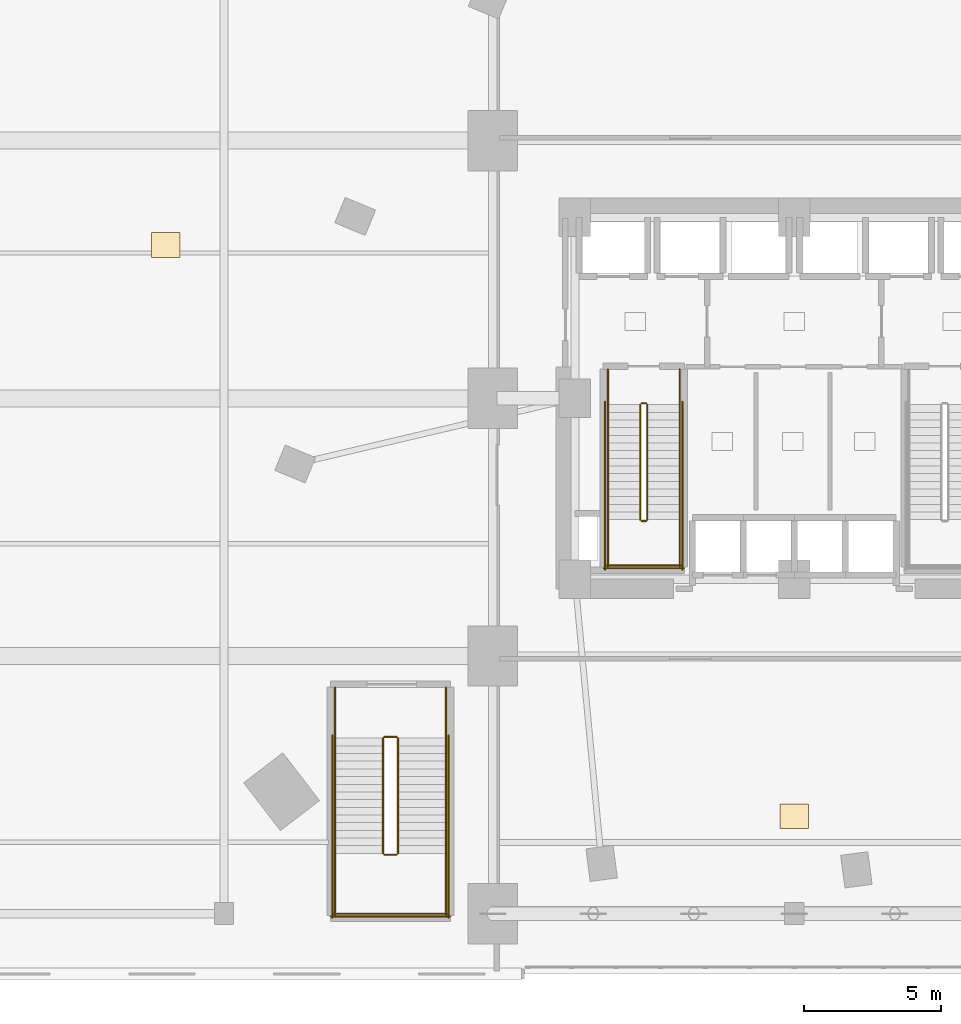
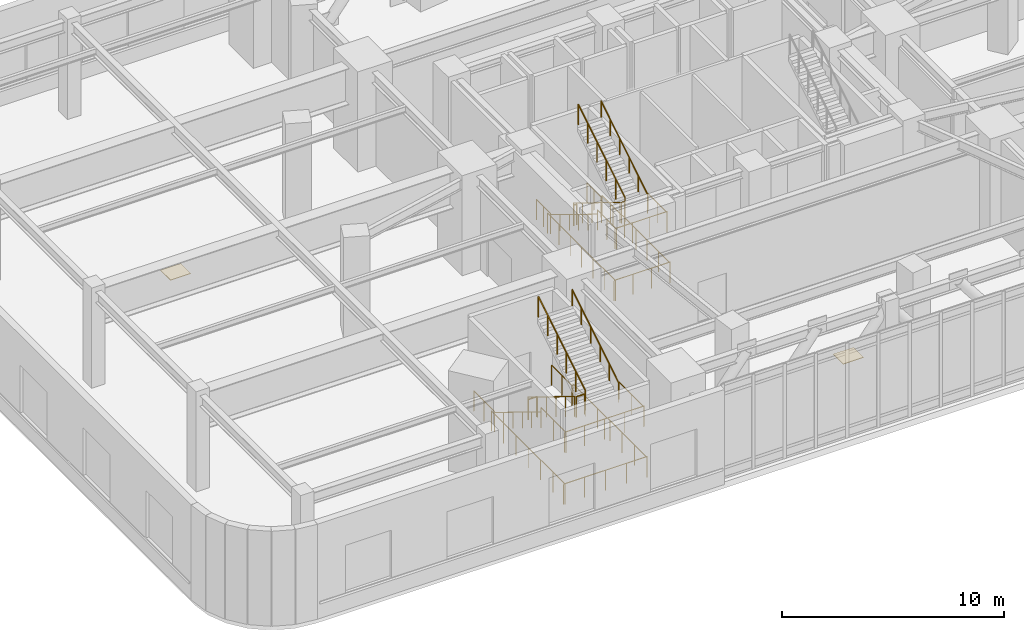
# One storey, part 17 of 19: 28 railings, 2 coverings.
"""IFC4 building model written with IfcOpenShell, lengths in metres."""

from ifc_helpers import new_model, si_unit, direction, frame, origin, origin_2d, place, context, subcontext, project, spatial, rectangle, circle, extrude, material, layer, layer_set, type_object, element, save


model = new_model("IFC4")

# Units and contexts
model_context = context("Model", 3, precision=1e-05, world=origin(), true_north=direction((0.0, 1.0)))
body_context = subcontext(model_context, "Body", "Model", "MODEL_VIEW")
ifc_project = project(units=[si_unit("LENGTHUNIT", "METRE"), si_unit("AREAUNIT", "SQUARE_METRE"), si_unit("VOLUMEUNIT", "CUBIC_METRE"), si_unit("PLANEANGLEUNIT", "RADIAN"), si_unit("MASSUNIT", "GRAM", prefix="KILO")], contexts=[model_context])

# Site, building, storey
site_placement = place(None, origin())
site = spatial("IfcSite", under=ifc_project, at=site_placement, CompositionType="ELEMENT")
building_placement = place(site_placement, origin())
building = spatial("IfcBuilding", under=site, at=building_placement, Name="Ndelora Gate Hotel", CompositionType="ELEMENT")
storey_placement = place(building_placement, frame((0.0, 0.0, 16.0)))
storey = spatial("IfcBuildingStorey", under=building, at=storey_placement, Name="L03", CompositionType="ELEMENT", Elevation=16.0)

# Coverings
ifc_material_1 = material(Name="Engineered Highland Oak Parquet", Category="wood")
ifc_layer_1 = layer(ifc_material_1, 0.030029296875)
ifc_layer_set_1 = layer_set([ifc_layer_1], Name="Engineered Highland Oak Parquet")
covering_type = type_object("IfcCoveringType", Name="COV-FLR-PARQ", PredefinedType="FLOORING", material=ifc_layer_set_1)
for number, where, z_axis, x_axis, name in (
    (1, (-22.925048828125, 5.59375, 0.0), (0.0, 0.0, 1.0), (1.0, 0.0, 0.0), "L03 Clear-Span Grand Ballroom Oak Parquet Flooring"),
    (2, (0.0, -15.25, 0.0), (0.0, 0.0, 1.0), (1.0, 0.0, 0.0), "L03 South Ballroom Salon Oak Parquet Flooring"),
):
    element("IfcCovering", number, at=place(storey_placement, frame(where, z_axis=z_axis, x_axis=x_axis)), inside=storey, type_object=covering_type, Name=name, PredefinedType="FLOORING", context=body_context, shape_type="SweptSolid", body=[
        extrude(rectangle(XDim=1.050048828125, YDim=0.89990234375, at=origin_2d()), origin(), (0.0, 0.0, 1.0), 0.030029296875),
    ])

# Railings
ifc_material_2 = material(Name="Painted Galvanized Steel Balustrade", Category="steel")
ifc_layer_2 = layer(ifc_material_2, 0.06005859375)
ifc_layer_set_2 = layer_set([ifc_layer_2], Name="Painted Galvanized Steel Balustrade")
railing_type_1 = type_object("IfcRailingType", Name="RL-STAIR-GD", PredefinedType="GUARDRAIL", material=ifc_layer_set_2)
railing_1_placement = place(storey_placement, frame((-5.6201171875, -0.22998046875, 0.171875)))
element("IfcRailing", 3, at=railing_1_placement, inside=storey, type_object=railing_type_1, Name="L03 ST4 stair guard 1", PredefinedType="GUARDRAIL", context=body_context, shape_type="SweptSolid", body=[
    extrude(circle(Radius=0.02392578125, at=origin_2d()), frame((0.0, 0.0, 1.10595703125), z_axis=(0.0, -0.852242915053, 0.523146264196), x_axis=(1.0, 0.0, 0.0)), (0.0, 0.0, 1.0), 4.92822265625),
    extrude(circle(Radius=0.02099609375, at=origin_2d()), origin(), (0.0, 0.0, 1.0), 1.081787109375),
    extrude(circle(Radius=0.02099609375, at=origin_2d()), frame((0.0, -0.840087890625, 0.515625)), (0.0, 0.0, 1.0), 1.081787109375),
    extrude(circle(Radius=0.02099609375, at=origin_2d()), frame((0.0, -1.679931640625, 1.03125)), (0.0, 0.0, 1.0), 1.081787109375),
    extrude(circle(Radius=0.02099609375, at=origin_2d()), frame((0.0, -2.52001953125, 1.546875)), (0.0, 0.0, 1.0), 1.081787109375),
    extrude(circle(Radius=0.02099609375, at=origin_2d()), frame((0.0, -3.35986328125, 2.0625)), (0.0, 0.0, 1.0), 1.081787109375),
    extrude(circle(Radius=0.02099609375, at=origin_2d()), frame((0.0, -4.199951171875, 2.578125)), (0.0, 0.0, 1.0), 1.081787109375),
])
railing_2_placement = place(storey_placement, frame((-5.570068359375, -4.47998046875, 2.75)))
element("IfcRailing", 4, at=railing_2_placement, inside=storey, type_object=railing_type_1, Name="L03 ST4 stair guard 2", PredefinedType="GUARDRAIL", context=body_context, shape_type="SweptSolid", body=[
    extrude(circle(Radius=0.02392578125, at=origin_2d()), frame((0.0, 0.0, 1.10595703125), z_axis=(1.0, 0.0, 0.0), x_axis=(0.0, 1.0, 0.0)), (0.0, 0.0, 1.0), 0.16015625),
    extrude(circle(Radius=0.02099609375, at=origin_2d()), origin(), (0.0, 0.0, 1.0), 1.081787109375),
    extrude(circle(Radius=0.02099609375, at=origin_2d()), frame((0.16015625, 0.0, 0.0)), (0.0, 0.0, 1.0), 1.081787109375),
])
for number, where, name in (
    (5, (-6.800048828125, -4.429931640625, 2.75), "L03 ST4 stair guard 3"),
    (6, (-4.179931640625, -4.429931640625, 2.75), "L03 ST4 stair guard 4"),
):
    element("IfcRailing", number, at=place(storey_placement, frame(where)), inside=storey, type_object=railing_type_1, Name=name, PredefinedType="GUARDRAIL", context=body_context, shape_type="SweptSolid", body=[
        extrude(circle(Radius=0.02392578125, at=origin_2d()), frame((0.0, 0.0, 1.10595703125), z_axis=(0.0, -1.0, 0.0), x_axis=(1.0, 0.0, 0.0)), (0.0, 0.0, 1.0), 1.719970703125),
        extrude(circle(Radius=0.02099609375, at=origin_2d()), origin(), (0.0, 0.0, 1.0), 1.081787109375),
        extrude(circle(Radius=0.02099609375, at=origin_2d()), frame((0.0, -0.85986328125, 0.0)), (0.0, 0.0, 1.0), 1.081787109375),
        extrude(circle(Radius=0.02099609375, at=origin_2d()), frame((0.0, -1.719970703125, 0.0)), (0.0, 0.0, 1.0), 1.081787109375),
    ])
railing_3_placement = place(storey_placement, frame((-6.85009765625, -6.10009765625, 2.75)))
element("IfcRailing", 7, at=railing_3_placement, inside=storey, type_object=railing_type_1, Name="L03 ST4 stair guard 5", PredefinedType="GUARDRAIL", context=body_context, shape_type="SweptSolid", body=[
    extrude(circle(Radius=0.02392578125, at=origin_2d()), frame((0.0, 0.0, 1.10595703125), z_axis=(1.0, 0.0, 0.0), x_axis=(0.0, 1.0, 0.0)), (0.0, 0.0, 1.0), 2.72021484375),
    extrude(circle(Radius=0.02099609375, at=origin_2d()), origin(), (0.0, 0.0, 1.0), 1.081787109375),
    extrude(circle(Radius=0.02099609375, at=origin_2d()), frame((0.90673828125, 0.0, 0.0)), (0.0, 0.0, 1.0), 1.081787109375),
    extrude(circle(Radius=0.02099609375, at=origin_2d()), frame((1.8134765625, 0.0, 0.0)), (0.0, 0.0, 1.0), 1.081787109375),
    extrude(circle(Radius=0.02099609375, at=origin_2d()), frame((2.72021484375, 0.0, 0.0)), (0.0, 0.0, 1.0), 1.081787109375),
])
railing_4_placement = place(storey_placement, frame((-5.360107421875, -4.429931640625, 2.921875)))
element("IfcRailing", 8, at=railing_4_placement, inside=storey, type_object=railing_type_1, Name="L03 ST4 stair guard 6", PredefinedType="GUARDRAIL", context=body_context, shape_type="SweptSolid", body=[
    extrude(circle(Radius=0.02392578125, at=origin_2d()), frame((0.0, 0.0, 1.10595703125), z_axis=(0.0, 0.852242915053, 0.523146264196), x_axis=(-1.0, 0.0, 0.0)), (0.0, 0.0, 1.0), 4.92822265625),
    extrude(circle(Radius=0.02099609375, at=origin_2d()), origin(), (0.0, 0.0, 1.0), 1.081787109375),
    extrude(circle(Radius=0.02099609375, at=origin_2d()), frame((0.0, 0.840087890625, 0.515625)), (0.0, 0.0, 1.0), 1.081787109375),
    extrude(circle(Radius=0.02099609375, at=origin_2d()), frame((0.0, 1.679931640625, 1.03125)), (0.0, 0.0, 1.0), 1.081787109375),
    extrude(circle(Radius=0.02099609375, at=origin_2d()), frame((0.0, 2.52001953125, 1.546875)), (0.0, 0.0, 1.0), 1.081787109375),
    extrude(circle(Radius=0.02099609375, at=origin_2d()), frame((0.0, 3.35986328125, 2.0625)), (0.0, 0.0, 1.0), 1.081787109375),
    extrude(circle(Radius=0.02099609375, at=origin_2d()), frame((0.0, 4.199951171875, 2.578125)), (0.0, 0.0, 1.0), 1.081787109375),
])
railing_5_placement = place(storey_placement, frame((-5.570068359375, -0.179931640625, 0.0)))
element("IfcRailing", 9, at=railing_5_placement, inside=storey, type_object=railing_type_1, Name="L03 ST4 stair guard 7", PredefinedType="GUARDRAIL", context=body_context, shape_type="SweptSolid", body=[
    extrude(circle(Radius=0.02392578125, at=origin_2d()), frame((0.0, 0.0, 1.10595703125), z_axis=(1.0, 0.0, 0.0), x_axis=(0.0, 1.0, 0.0)), (0.0, 0.0, 1.0), 0.16015625),
    extrude(circle(Radius=0.02099609375, at=origin_2d()), origin(), (0.0, 0.0, 1.0), 1.081787109375),
    extrude(circle(Radius=0.02099609375, at=origin_2d()), frame((0.16015625, 0.0, 0.0)), (0.0, 0.0, 1.0), 1.081787109375),
])
for number, where, name in (
    (10, (-6.800048828125, 1.050048828125, 0.0), "L03 ST4 stair guard 8"),
    (11, (-4.179931640625, 1.050048828125, 0.0), "L03 ST4 stair guard 9"),
):
    element("IfcRailing", number, at=place(storey_placement, frame(where)), inside=storey, type_object=railing_type_1, Name=name, PredefinedType="GUARDRAIL", context=body_context, shape_type="SweptSolid", body=[
        extrude(circle(Radius=0.02392578125, at=origin_2d()), frame((0.0, 0.0, 1.10595703125), z_axis=(0.0, -1.0, 0.0), x_axis=(1.0, 0.0, 0.0)), (0.0, 0.0, 1.0), 1.280029296875),
        extrude(circle(Radius=0.02099609375, at=origin_2d()), origin(), (0.0, 0.0, 1.0), 1.081787109375),
        extrude(circle(Radius=0.02099609375, at=origin_2d()), frame((0.0, -0.64013671875, 0.0)), (0.0, 0.0, 1.0), 1.081787109375),
        extrude(circle(Radius=0.02099609375, at=origin_2d()), frame((0.0, -1.280029296875, 0.0)), (0.0, 0.0, 1.0), 1.081787109375),
    ])
for number, where, name in (
    (12, (-6.89990234375, -0.1298828125, 0.0), "L03 ST4 stair guard 10"),
    (13, (-4.080078125, -0.1298828125, 0.0), "L03 ST4 stair guard 11"),
):
    element("IfcRailing", number, at=place(storey_placement, frame(where)), inside=storey, type_object=railing_type_1, Name=name, PredefinedType="GUARDRAIL", context=body_context, shape_type="SweptSolid", body=[
        extrude(circle(Radius=0.02392578125, at=origin_2d()), frame((0.0, 0.0, 1.10595703125), z_axis=(0.0, -1.0, 0.0), x_axis=(1.0, 0.0, 0.0)), (0.0, 0.0, 1.0), 6.1201171875),
        extrude(circle(Radius=0.02099609375, at=origin_2d()), origin(), (0.0, 0.0, 1.0), 1.081787109375),
        extrude(circle(Radius=0.02099609375, at=origin_2d()), frame((0.0, -1.02001953125, 0.0)), (0.0, 0.0, 1.0), 1.081787109375),
        extrude(circle(Radius=0.02099609375, at=origin_2d()), frame((0.0, -2.0400390625, 0.0)), (0.0, 0.0, 1.0), 1.081787109375),
        extrude(circle(Radius=0.02099609375, at=origin_2d()), frame((0.0, -3.06005859375, 0.0)), (0.0, 0.0, 1.0), 1.081787109375),
        extrude(circle(Radius=0.02099609375, at=origin_2d()), frame((0.0, -4.080078125, 0.0)), (0.0, 0.0, 1.0), 1.081787109375),
        extrude(circle(Radius=0.02099609375, at=origin_2d()), frame((0.0, -5.10009765625, 0.0)), (0.0, 0.0, 1.0), 1.081787109375),
        extrude(circle(Radius=0.02099609375, at=origin_2d()), frame((0.0, -6.1201171875, 0.0)), (0.0, 0.0, 1.0), 1.081787109375),
    ])
railing_6_placement = place(storey_placement, frame((-6.949951171875, -6.199951171875, 0.0)))
element("IfcRailing", 14, at=railing_6_placement, inside=storey, type_object=railing_type_1, Name="L03 ST4 stair guard 12", PredefinedType="GUARDRAIL", context=body_context, shape_type="SweptSolid", body=[
    extrude(circle(Radius=0.02392578125, at=origin_2d()), frame((0.0, 0.0, 1.10595703125), z_axis=(1.0, 0.0, 0.0), x_axis=(0.0, 1.0, 0.0)), (0.0, 0.0, 1.0), 2.919921875),
    extrude(circle(Radius=0.02099609375, at=origin_2d()), origin(), (0.0, 0.0, 1.0), 1.081787109375),
    extrude(circle(Radius=0.02099609375, at=origin_2d()), frame((0.973388671875, 0.0, 0.0)), (0.0, 0.0, 1.0), 1.081787109375),
    extrude(circle(Radius=0.02099609375, at=origin_2d()), frame((1.946533203125, 0.0, 0.0)), (0.0, 0.0, 1.0), 1.081787109375),
    extrude(circle(Radius=0.02099609375, at=origin_2d()), frame((2.919921875, 0.0, 0.0)), (0.0, 0.0, 1.0), 1.081787109375),
])
railing_7_placement = place(storey_placement, frame((-15.0, -12.39990234375, 0.171875)))
element("IfcRailing", 15, at=railing_7_placement, inside=storey, type_object=railing_type_1, Name="L03 ST3A stair guard 1", PredefinedType="GUARDRAIL", context=body_context, shape_type="SweptSolid", body=[
    extrude(circle(Radius=0.02392578125, at=origin_2d()), frame((0.0, 0.0, 1.10595703125), z_axis=(0.0, -0.852256472501, 0.523124177495), x_axis=(1.0, 0.0, 0.0)), (0.0, 0.0, 1.0), 4.92822265625),
    extrude(circle(Radius=0.02099609375, at=origin_2d()), origin(), (0.0, 0.0, 1.0), 1.081787109375),
    extrude(circle(Radius=0.02099609375, at=origin_2d()), frame((0.0, -0.840087890625, 0.515625)), (0.0, 0.0, 1.0), 1.081787109375),
    extrude(circle(Radius=0.02099609375, at=origin_2d()), frame((0.0, -1.68017578125, 1.03125)), (0.0, 0.0, 1.0), 1.081787109375),
    extrude(circle(Radius=0.02099609375, at=origin_2d()), frame((0.0, -2.52001953125, 1.546875)), (0.0, 0.0, 1.0), 1.081787109375),
    extrude(circle(Radius=0.02099609375, at=origin_2d()), frame((0.0, -3.360107421875, 2.0625)), (0.0, 0.0, 1.0), 1.081787109375),
    extrude(circle(Radius=0.02099609375, at=origin_2d()), frame((0.0, -4.2001953125, 2.578125)), (0.0, 0.0, 1.0), 1.081787109375),
])
railing_8_placement = place(storey_placement, frame((-14.949951171875, -16.64990234375, 2.75)))
element("IfcRailing", 16, at=railing_8_placement, inside=storey, type_object=railing_type_1, Name="L03 ST3A stair guard 2", PredefinedType="GUARDRAIL", context=body_context, shape_type="SweptSolid", body=[
    extrude(circle(Radius=0.02392578125, at=origin_2d()), frame((0.0, 0.0, 1.10595703125), z_axis=(1.0, 0.0, 0.0), x_axis=(0.0, 1.0, 0.0)), (0.0, 0.0, 1.0), 0.43994140625),
    extrude(circle(Radius=0.02099609375, at=origin_2d()), origin(), (0.0, 0.0, 1.0), 1.081787109375),
    extrude(circle(Radius=0.02099609375, at=origin_2d()), frame((0.43994140625, 0.0, 0.0)), (0.0, 0.0, 1.0), 1.081787109375),
])
for number, where, name in (
    (17, (-16.75, -16.60009765625, 2.75), "L03 ST3A stair guard 3"),
    (18, (-12.7099609375, -16.60009765625, 2.75), "L03 ST3A stair guard 4"),
):
    element("IfcRailing", number, at=place(storey_placement, frame(where)), inside=storey, type_object=railing_type_1, Name=name, PredefinedType="GUARDRAIL", context=body_context, shape_type="SweptSolid", body=[
        extrude(circle(Radius=0.02392578125, at=origin_2d()), frame((0.0, 0.0, 1.10595703125), z_axis=(0.0, -1.0, 0.0), x_axis=(1.0, 0.0, 0.0)), (0.0, 0.0, 1.0), 2.25),
        extrude(circle(Radius=0.02099609375, at=origin_2d()), origin(), (0.0, 0.0, 1.0), 1.081787109375),
        extrude(circle(Radius=0.02099609375, at=origin_2d()), frame((0.0, -1.125, 0.0)), (0.0, 0.0, 1.0), 1.081787109375),
        extrude(circle(Radius=0.02099609375, at=origin_2d()), frame((0.0, -2.25, 0.0)), (0.0, 0.0, 1.0), 1.081787109375),
    ])
railing_9_placement = place(storey_placement, frame((-16.800048828125, -18.800048828125, 2.75)))
element("IfcRailing", 19, at=railing_9_placement, inside=storey, type_object=railing_type_1, Name="L03 ST3A stair guard 5", PredefinedType="GUARDRAIL", context=body_context, shape_type="SweptSolid", body=[
    extrude(circle(Radius=0.02392578125, at=origin_2d()), frame((0.0, 0.0, 1.10595703125), z_axis=(1.0, 0.0, 0.0), x_axis=(0.0, 1.0, 0.0)), (0.0, 0.0, 1.0), 4.14013671875),
    extrude(circle(Radius=0.02099609375, at=origin_2d()), origin(), (0.0, 0.0, 1.0), 1.081787109375),
    extrude(circle(Radius=0.02099609375, at=origin_2d()), frame((1.03515625, 0.0, 0.0)), (0.0, 0.0, 1.0), 1.081787109375),
    extrude(circle(Radius=0.02099609375, at=origin_2d()), frame((2.070068359375, 0.0, 0.0)), (0.0, 0.0, 1.0), 1.081787109375),
    extrude(circle(Radius=0.02099609375, at=origin_2d()), frame((3.10498046875, 0.0, 0.0)), (0.0, 0.0, 1.0), 1.081787109375),
    extrude(circle(Radius=0.02099609375, at=origin_2d()), frame((4.14013671875, 0.0, 0.0)), (0.0, 0.0, 1.0), 1.081787109375),
])
railing_10_placement = place(storey_placement, frame((-14.4599609375, -16.60009765625, 2.921875)))
element("IfcRailing", 20, at=railing_10_placement, inside=storey, type_object=railing_type_1, Name="L03 ST3A stair guard 6", PredefinedType="GUARDRAIL", context=body_context, shape_type="SweptSolid", body=[
    extrude(circle(Radius=0.02392578125, at=origin_2d()), frame((0.0, 0.0, 1.10595703125), z_axis=(0.0, 0.852256472501, 0.523124177495), x_axis=(-1.0, 0.0, 0.0)), (0.0, 0.0, 1.0), 4.92822265625),
    extrude(circle(Radius=0.02099609375, at=origin_2d()), origin(), (0.0, 0.0, 1.0), 1.081787109375),
    extrude(circle(Radius=0.02099609375, at=origin_2d()), frame((0.0, 0.840087890625, 0.515625)), (0.0, 0.0, 1.0), 1.081787109375),
    extrude(circle(Radius=0.02099609375, at=origin_2d()), frame((0.0, 1.68017578125, 1.03125)), (0.0, 0.0, 1.0), 1.081787109375),
    extrude(circle(Radius=0.02099609375, at=origin_2d()), frame((0.0, 2.52001953125, 1.546875)), (0.0, 0.0, 1.0), 1.081787109375),
    extrude(circle(Radius=0.02099609375, at=origin_2d()), frame((0.0, 3.360107421875, 2.0625)), (0.0, 0.0, 1.0), 1.081787109375),
    extrude(circle(Radius=0.02099609375, at=origin_2d()), frame((0.0, 4.2001953125, 2.578125)), (0.0, 0.0, 1.0), 1.081787109375),
])
railing_11_placement = place(storey_placement, frame((-14.949951171875, -12.35009765625, 0.0)))
element("IfcRailing", 21, at=railing_11_placement, inside=storey, type_object=railing_type_1, Name="L03 ST3A stair guard 7", PredefinedType="GUARDRAIL", context=body_context, shape_type="SweptSolid", body=[
    extrude(circle(Radius=0.02392578125, at=origin_2d()), frame((0.0, 0.0, 1.10595703125), z_axis=(1.0, 0.0, 0.0), x_axis=(0.0, 1.0, 0.0)), (0.0, 0.0, 1.0), 0.43994140625),
    extrude(circle(Radius=0.02099609375, at=origin_2d()), origin(), (0.0, 0.0, 1.0), 1.081787109375),
    extrude(circle(Radius=0.02099609375, at=origin_2d()), frame((0.43994140625, 0.0, 0.0)), (0.0, 0.0, 1.0), 1.081787109375),
])
for number, where, name in (
    (22, (-16.75, -10.550048828125, 0.0), "L03 ST3A stair guard 8"),
    (23, (-12.7099609375, -10.550048828125, 0.0), "L03 ST3A stair guard 9"),
):
    element("IfcRailing", number, at=place(storey_placement, frame(where)), inside=storey, type_object=railing_type_1, Name=name, PredefinedType="GUARDRAIL", context=body_context, shape_type="SweptSolid", body=[
        extrude(circle(Radius=0.02392578125, at=origin_2d()), frame((0.0, 0.0, 1.10595703125), z_axis=(0.0, -1.0, 0.0), x_axis=(1.0, 0.0, 0.0)), (0.0, 0.0, 1.0), 1.849853515625),
        extrude(circle(Radius=0.02099609375, at=origin_2d()), origin(), (0.0, 0.0, 1.0), 1.081787109375),
        extrude(circle(Radius=0.02099609375, at=origin_2d()), frame((0.0, -0.9248046875, 0.0)), (0.0, 0.0, 1.0), 1.081787109375),
        extrude(circle(Radius=0.02099609375, at=origin_2d()), frame((0.0, -1.849853515625, 0.0)), (0.0, 0.0, 1.0), 1.081787109375),
    ])
for number, where, name in (
    (24, (-16.85009765625, -12.300048828125, 0.0), "L03 ST3A stair guard 10"),
    (25, (-12.610107421875, -12.300048828125, 0.0), "L03 ST3A stair guard 11"),
):
    element("IfcRailing", number, at=place(storey_placement, frame(where)), inside=storey, type_object=railing_type_1, Name=name, PredefinedType="GUARDRAIL", context=body_context, shape_type="SweptSolid", body=[
        extrude(circle(Radius=0.02392578125, at=origin_2d()), frame((0.0, 0.0, 1.10595703125), z_axis=(0.0, -1.0, 0.0), x_axis=(1.0, 0.0, 0.0)), (0.0, 0.0, 1.0), 6.64990234375),
        extrude(circle(Radius=0.02099609375, at=origin_2d()), origin(), (0.0, 0.0, 1.0), 1.081787109375),
        extrude(circle(Radius=0.02099609375, at=origin_2d()), frame((0.0, -1.1083984375, 0.0)), (0.0, 0.0, 1.0), 1.081787109375),
        extrude(circle(Radius=0.02099609375, at=origin_2d()), frame((0.0, -2.216552734375, 0.0)), (0.0, 0.0, 1.0), 1.081787109375),
        extrude(circle(Radius=0.02099609375, at=origin_2d()), frame((0.0, -3.324951171875, 0.0)), (0.0, 0.0, 1.0), 1.081787109375),
        extrude(circle(Radius=0.02099609375, at=origin_2d()), frame((0.0, -4.433349609375, 0.0)), (0.0, 0.0, 1.0), 1.081787109375),
        extrude(circle(Radius=0.02099609375, at=origin_2d()), frame((0.0, -5.54150390625, 0.0)), (0.0, 0.0, 1.0), 1.081787109375),
        extrude(circle(Radius=0.02099609375, at=origin_2d()), frame((0.0, -6.64990234375, 0.0)), (0.0, 0.0, 1.0), 1.081787109375),
    ])
railing_12_placement = place(storey_placement, frame((-16.89990234375, -18.89990234375, 0.0)))
element("IfcRailing", 26, at=railing_12_placement, inside=storey, type_object=railing_type_1, Name="L03 ST3A stair guard 12", PredefinedType="GUARDRAIL", context=body_context, shape_type="SweptSolid", body=[
    extrude(circle(Radius=0.02392578125, at=origin_2d()), frame((0.0, 0.0, 1.10595703125), z_axis=(1.0, 0.0, 0.0), x_axis=(0.0, 1.0, 0.0)), (0.0, 0.0, 1.0), 4.33984375),
    extrude(circle(Radius=0.02099609375, at=origin_2d()), origin(), (0.0, 0.0, 1.0), 1.081787109375),
    extrude(circle(Radius=0.02099609375, at=origin_2d()), frame((1.0849609375, 0.0, 0.0)), (0.0, 0.0, 1.0), 1.081787109375),
    extrude(circle(Radius=0.02099609375, at=origin_2d()), frame((2.169921875, 0.0, 0.0)), (0.0, 0.0, 1.0), 1.081787109375),
    extrude(circle(Radius=0.02099609375, at=origin_2d()), frame((3.2548828125, 0.0, 0.0)), (0.0, 0.0, 1.0), 1.081787109375),
    extrude(circle(Radius=0.02099609375, at=origin_2d()), frame((4.33984375, 0.0, 0.0)), (0.0, 0.0, 1.0), 1.081787109375),
])
ifc_material_3 = material(Name="Brushed Stainless Steel 316", Category="steel")
ifc_layer_3 = layer(ifc_material_3, 0.050048828125)
ifc_layer_set_3 = layer_set([ifc_layer_3], Name="Brushed Stainless Steel 316")
railing_type_2 = type_object("IfcRailingType", Name="RL-STAIR-HR", PredefinedType="HANDRAIL", material=ifc_layer_set_3)
railing_13_placement = place(storey_placement, frame((-6.800048828125, -0.22998046875, 0.171875)))
element("IfcRailing", 27, at=railing_13_placement, inside=storey, type_object=railing_type_2, Name="L03 ST4 stair handrail 1", PredefinedType="HANDRAIL", context=body_context, shape_type="SweptSolid", body=[
    extrude(circle(Radius=0.02392578125, at=origin_2d()), frame((0.0, 0.0, 0.8759765625), z_axis=(0.0, -0.852242915053, 0.523146264196), x_axis=(1.0, 0.0, 0.0)), (0.0, 0.0, 1.0), 4.92822265625),
    extrude(circle(Radius=0.02099609375, at=origin_2d()), origin(), (0.0, 0.0, 1.0), 0.851806640625),
    extrude(circle(Radius=0.02099609375, at=origin_2d()), frame((0.0, -0.840087890625, 0.515625)), (0.0, 0.0, 1.0), 0.851806640625),
    extrude(circle(Radius=0.02099609375, at=origin_2d()), frame((0.0, -1.679931640625, 1.03125)), (0.0, 0.0, 1.0), 0.851806640625),
    extrude(circle(Radius=0.02099609375, at=origin_2d()), frame((0.0, -2.52001953125, 1.546875)), (0.0, 0.0, 1.0), 0.851806640625),
    extrude(circle(Radius=0.02099609375, at=origin_2d()), frame((0.0, -3.35986328125, 2.0625)), (0.0, 0.0, 1.0), 0.851806640625),
    extrude(circle(Radius=0.02099609375, at=origin_2d()), frame((0.0, -4.199951171875, 2.578125)), (0.0, 0.0, 1.0), 0.851806640625),
])
railing_14_placement = place(storey_placement, frame((-4.179931640625, -4.429931640625, 2.921875)))
element("IfcRailing", 28, at=railing_14_placement, inside=storey, type_object=railing_type_2, Name="L03 ST4 stair handrail 2", PredefinedType="HANDRAIL", context=body_context, shape_type="SweptSolid", body=[
    extrude(circle(Radius=0.02392578125, at=origin_2d()), frame((0.0, 0.0, 0.8759765625), z_axis=(0.0, 0.852242915053, 0.523146264196), x_axis=(-1.0, 0.0, 0.0)), (0.0, 0.0, 1.0), 4.92822265625),
    extrude(circle(Radius=0.02099609375, at=origin_2d()), origin(), (0.0, 0.0, 1.0), 0.851806640625),
    extrude(circle(Radius=0.02099609375, at=origin_2d()), frame((0.0, 0.840087890625, 0.515625)), (0.0, 0.0, 1.0), 0.851806640625),
    extrude(circle(Radius=0.02099609375, at=origin_2d()), frame((0.0, 1.679931640625, 1.03125)), (0.0, 0.0, 1.0), 0.851806640625),
    extrude(circle(Radius=0.02099609375, at=origin_2d()), frame((0.0, 2.52001953125, 1.546875)), (0.0, 0.0, 1.0), 0.851806640625),
    extrude(circle(Radius=0.02099609375, at=origin_2d()), frame((0.0, 3.35986328125, 2.0625)), (0.0, 0.0, 1.0), 0.851806640625),
    extrude(circle(Radius=0.02099609375, at=origin_2d()), frame((0.0, 4.199951171875, 2.578125)), (0.0, 0.0, 1.0), 0.851806640625),
])
railing_15_placement = place(storey_placement, frame((-16.75, -12.39990234375, 0.171875)))
element("IfcRailing", 29, at=railing_15_placement, inside=storey, type_object=railing_type_2, Name="L03 ST3A stair handrail 1", PredefinedType="HANDRAIL", context=body_context, shape_type="SweptSolid", body=[
    extrude(circle(Radius=0.02392578125, at=origin_2d()), frame((0.0, 0.0, 0.8759765625), z_axis=(0.0, -0.852256472501, 0.523124177495), x_axis=(1.0, 0.0, 0.0)), (0.0, 0.0, 1.0), 4.92822265625),
    extrude(circle(Radius=0.02099609375, at=origin_2d()), origin(), (0.0, 0.0, 1.0), 0.851806640625),
    extrude(circle(Radius=0.02099609375, at=origin_2d()), frame((0.0, -0.840087890625, 0.515625)), (0.0, 0.0, 1.0), 0.851806640625),
    extrude(circle(Radius=0.02099609375, at=origin_2d()), frame((0.0, -1.68017578125, 1.03125)), (0.0, 0.0, 1.0), 0.851806640625),
    extrude(circle(Radius=0.02099609375, at=origin_2d()), frame((0.0, -2.52001953125, 1.546875)), (0.0, 0.0, 1.0), 0.851806640625),
    extrude(circle(Radius=0.02099609375, at=origin_2d()), frame((0.0, -3.360107421875, 2.0625)), (0.0, 0.0, 1.0), 0.851806640625),
    extrude(circle(Radius=0.02099609375, at=origin_2d()), frame((0.0, -4.2001953125, 2.578125)), (0.0, 0.0, 1.0), 0.851806640625),
])
railing_16_placement = place(storey_placement, frame((-12.7099609375, -16.60009765625, 2.921875)))
element("IfcRailing", 30, at=railing_16_placement, inside=storey, type_object=railing_type_2, Name="L03 ST3A stair handrail 2", PredefinedType="HANDRAIL", context=body_context, shape_type="SweptSolid", body=[
    extrude(circle(Radius=0.02392578125, at=origin_2d()), frame((0.0, 0.0, 0.8759765625), z_axis=(0.0, 0.852256472501, 0.523124177495), x_axis=(-1.0, 0.0, 0.0)), (0.0, 0.0, 1.0), 4.92822265625),
    extrude(circle(Radius=0.02099609375, at=origin_2d()), origin(), (0.0, 0.0, 1.0), 0.851806640625),
    extrude(circle(Radius=0.02099609375, at=origin_2d()), frame((0.0, 0.840087890625, 0.515625)), (0.0, 0.0, 1.0), 0.851806640625),
    extrude(circle(Radius=0.02099609375, at=origin_2d()), frame((0.0, 1.68017578125, 1.03125)), (0.0, 0.0, 1.0), 0.851806640625),
    extrude(circle(Radius=0.02099609375, at=origin_2d()), frame((0.0, 2.52001953125, 1.546875)), (0.0, 0.0, 1.0), 0.851806640625),
    extrude(circle(Radius=0.02099609375, at=origin_2d()), frame((0.0, 3.360107421875, 2.0625)), (0.0, 0.0, 1.0), 0.851806640625),
    extrude(circle(Radius=0.02099609375, at=origin_2d()), frame((0.0, 4.2001953125, 2.578125)), (0.0, 0.0, 1.0), 0.851806640625),
])

save(model, "model.ifc")
